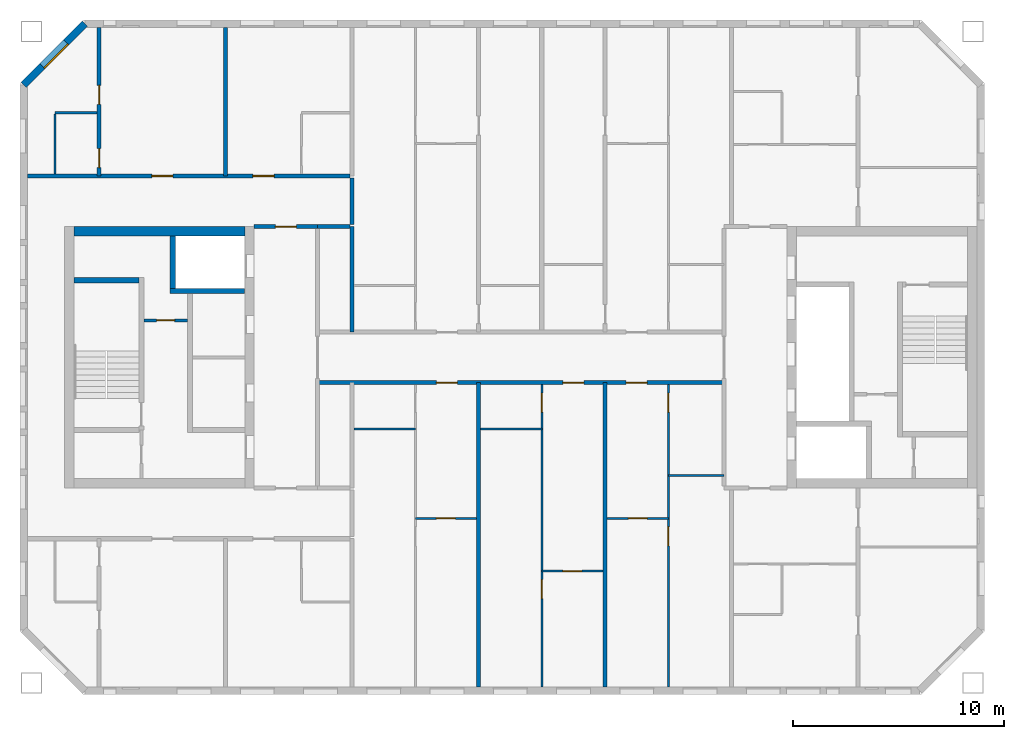
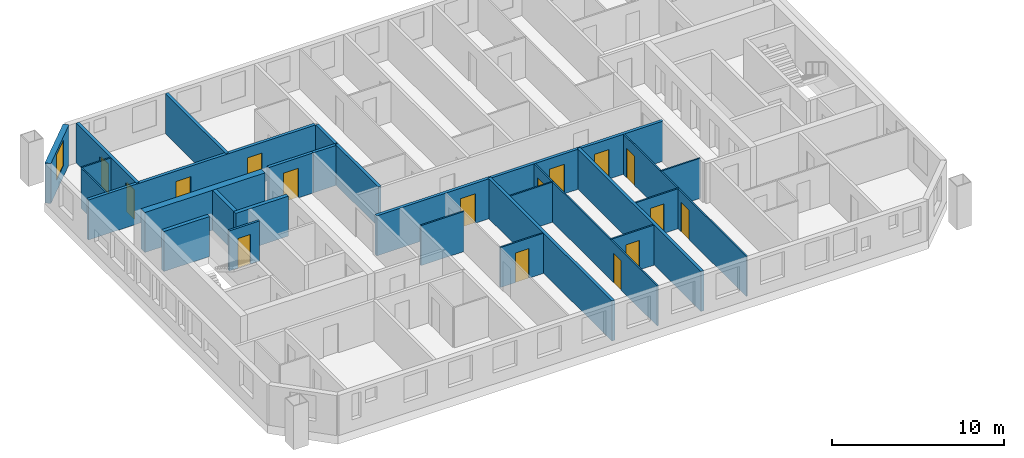
# One storey, part 4 of 16: 26 walls, 16 doors, 1 window, 17 openings.
"""IFC4 building model written with IfcOpenShell, lengths in metres."""

from ifc_helpers import new_model, si_unit, direction, frame, frame_2d, origin, place, context, subcontext, project, spatial, rectangle, extrude, material, layer, layer_set, type_object, element, fill, save


model = new_model("IFC4")

# Units and contexts
model_context = context("Model", 3, precision=1e-05, world=origin(), true_north=direction((0.0, 1.0)))
body_context = subcontext(model_context, "Body", "Model", "MODEL_VIEW")
ifc_project = project(units=[si_unit("LENGTHUNIT", "METRE"), si_unit("AREAUNIT", "SQUARE_METRE"), si_unit("VOLUMEUNIT", "CUBIC_METRE"), si_unit("PLANEANGLEUNIT", "RADIAN"), si_unit("MASSUNIT", "GRAM", prefix="KILO")], contexts=[model_context])

# Site, building, storey
site_placement = place(None, origin())
site = spatial("IfcSite", under=ifc_project, at=site_placement, CompositionType="ELEMENT")
building_placement = place(site_placement, origin())
building = spatial("IfcBuilding", under=site, at=building_placement, Name="Tuart Gate Housing", CompositionType="ELEMENT")
storey_placement = place(building_placement, frame((0.0, 0.0, 175.800048828125)))
storey = spatial("IfcBuildingStorey", under=building, at=storey_placement, Name="L49", CompositionType="ELEMENT", Elevation=175.800048828125)

# Wall, opening, window
ifc_material_1 = material(Name="Brick", Category="masonry")
ifc_layer_1 = layer(ifc_material_1, 0.360107421875)
ifc_layer_set_1 = layer_set([ifc_layer_1], Name="Brick pier and spandrel wall 360")
wall_type_1 = type_object("IfcWallType", Name="Brick pier and spandrel wall 360", PredefinedType="STANDARD", material=ifc_layer_set_1)
wall_1_placement = place(storey_placement, frame((33.32470703125, 85.820068359375, 0.0), z_axis=(0.0, 0.0, 1.0), x_axis=(-0.707106781187, -0.707106781187, 0.0)))
wall_1 = element("IfcWall", 1, at=wall_1_placement, inside=storey, type_object=wall_type_1, Name="External wall A-NW L49", PredefinedType="STANDARD", context=body_context, shape_type="SweptSolid", body=[
    extrude(rectangle(XDim=4.09375, YDim=0.360107421875, at=frame_2d((2.046875, 0.0))), origin(), (0.0, 0.0, 1.0), 2.849853515625),
])
opening_1_placement = place(wall_1_placement, frame((1.2470703125, 0.0, 0.800048828125)))
opening_1 = element("IfcOpeningElement", 2, at=opening_1_placement, cuts=wall_1, Name="Opening W1", PredefinedType="OPENING", context=body_context, shape_type="SweptSolid", body=[
    extrude(rectangle(XDim=1.60009765625, YDim=1.800048828125, at=frame_2d((0.800048828125, 0.89990234375))), frame((0.0, 0.18994140625, 0.0), z_axis=(0.0, -1.0, 0.0), x_axis=(1.0, 0.0, 0.0)), (0.0, 0.0, 1.0), 0.380126953125),
])
ifc_material_2 = material(Name="Aluminium frame with clear glass", Category="aluminium")
window_type = type_object("IfcWindowType", Name="Punched window 1600 x 1800", PartitioningType="SINGLE_PANEL", PredefinedType="WINDOW", material=ifc_material_2)
window_placement = place(opening_1_placement, origin())
window = element("IfcWindow", 3, at=window_placement, inside=storey, type_object=window_type, Name="Window W1", OverallHeight=1.800048828125, OverallWidth=1.60009765625, PartitioningType="SINGLE_PANEL", PredefinedType="WINDOW", context=body_context, shape_type="SweptSolid", body=[
    extrude(rectangle(XDim=1.60009765625, YDim=1.800048828125, at=frame_2d((0.800048828125, 0.89990234375))), frame((0.0, 0.150146484375, 0.0), z_axis=(0.0, -1.0, 0.0), x_axis=(1.0, 0.0, 0.0)), (0.0, 0.0, 1.0), 0.06005859375),
])
fill(opening_1, window)

# Wall, opening, door
ifc_material_3 = material(Name="Plasterboard partition")
ifc_layer_2 = layer(ifc_material_3, 0.14990234375)
ifc_layer_set_2 = layer_set([ifc_layer_2], Name="Core partition 150")
wall_type_2 = type_object("IfcWallType", Name="Core partition 150", PredefinedType="PARTITIONING", material=ifc_layer_set_2)
wall_2_placement = place(storey_placement, frame((38.18505859375, 71.75, 0.0), z_axis=(0.0, 0.0, 1.0), x_axis=(-1.0, 0.0, 0.0)))
wall_2 = element("IfcWall", 4, at=wall_2_placement, inside=storey, type_object=wall_type_2, Name="Core partition AK.3", PredefinedType="PARTITIONING", context=body_context, shape_type="SweptSolid", body=[
    extrude(rectangle(XDim=2.050048828125, YDim=0.14990234375, at=frame_2d((1.02490234375, 0.0))), origin(), (0.0, 0.0, 1.0), 2.849853515625),
])
opening_2_placement = place(wall_2_placement, frame((0.60009765625, 0.0, 0.0)))
opening_2 = element("IfcOpeningElement", 5, at=opening_2_placement, cuts=wall_2, Name="Opening D1755", PredefinedType="OPENING", context=body_context, shape_type="SweptSolid", body=[
    extrude(rectangle(XDim=0.85009765625, YDim=2.10009765625, at=frame_2d((0.425048828125, 1.050048828125))), frame((0.0, 0.0849609375, 0.0), z_axis=(0.0, -1.0, 0.0), x_axis=(1.0, 0.0, 0.0)), (0.0, 0.0, 1.0), 0.169921875),
])
ifc_material_4 = material(Name="Steel fire door", Category="steel")
door_type_1 = type_object("IfcDoorType", Name="Riser door 850 x 2100 RH", OperationType="SINGLE_SWING_RIGHT", PredefinedType="DOOR", material=ifc_material_4)
door_1_placement = place(opening_2_placement, frame((0.85009765625, 0.0, 0.0), z_axis=(0.0, 0.0, 1.0), x_axis=(-1.0, 0.0, 0.0)))
door_1 = element("IfcDoor", 6, at=door_1_placement, inside=storey, type_object=door_type_1, Name="Service room door AK.E1", OperationType="SINGLE_SWING_RIGHT", OverallHeight=2.10009765625, OverallWidth=0.85009765625, PredefinedType="DOOR", context=body_context, shape_type="SweptSolid", body=[
    extrude(rectangle(XDim=0.85009765625, YDim=2.10009765625, at=frame_2d((0.425048828125, 1.050048828125))), frame((0.0, 0.025146484375, 0.0), z_axis=(0.0, -1.0, 0.0), x_axis=(1.0, 0.0, 0.0)), (0.0, 0.0, 1.0), 0.050048828125),
])
fill(opening_2, door_1)

# Walls
ifc_material_5 = material(Name="Concrete C40", Category="concrete")
ifc_layer_3 = layer(ifc_material_5, 0.25)
ifc_layer_set_3 = layer_set([ifc_layer_3], Name="Core wall 250 C40")
wall_type_3 = type_object("IfcWallType", Name="Core wall 250 C40", PredefinedType="SHEAR", material=ifc_layer_set_3)
wall_3_placement = place(storey_placement, frame((35.885009765625, 73.64990234375, 0.0), z_axis=(0.0, 0.0, 1.0), x_axis=(-1.0, 0.0, 0.0)))
element("IfcWall", 7, at=wall_3_placement, inside=storey, type_object=wall_type_3, Name="Core wall AK.1", PredefinedType="SHEAR", context=body_context, shape_type="SweptSolid", body=[
    extrude(rectangle(XDim=3.074951171875, YDim=0.25, at=frame_2d((1.53759765625, 0.0))), origin(), (0.0, 0.0, 1.0), 2.849853515625),
])
wall_4_placement = place(storey_placement, frame((40.909912109375, 73.14990234375, 0.0), z_axis=(0.0, 0.0, 1.0), x_axis=(-1.0, 0.0, 0.0)))
element("IfcWall", 8, at=wall_4_placement, inside=storey, type_object=wall_type_3, Name="Core wall AK.2", PredefinedType="SHEAR", context=body_context, shape_type="SweptSolid", body=[
    extrude(rectangle(XDim=3.544921875, YDim=0.25, at=frame_2d((1.7724609375, 0.0))), origin(), (0.0, 0.0, 1.0), 2.849853515625),
])
wall_5_placement = place(storey_placement, frame((37.489990234375, 75.75, 0.0), z_axis=(0.0, 0.0, 1.0), x_axis=(0.0, -1.0, 0.0)))
element("IfcWall", 9, at=wall_5_placement, inside=storey, type_object=wall_type_3, Name="Core wall AK.8", PredefinedType="SHEAR", context=body_context, shape_type="SweptSolid", body=[
    extrude(rectangle(XDim=2.47509765625, YDim=0.25, at=frame_2d((1.237548828125, 0.0))), origin(), (0.0, 0.0, 1.0), 2.849853515625),
])
ifc_material_6 = material(Name="Concrete C40", Category="concrete")
ifc_layer_4 = layer(ifc_material_6, 0.449951171875)
ifc_layer_set_4 = layer_set([ifc_layer_4], Name="Core wall 450 C40")
wall_type_4 = type_object("IfcWallType", Name="Core wall 450 C40", PredefinedType="SHEAR", material=ifc_layer_set_4)
wall_6_placement = place(storey_placement, frame((40.909912109375, 75.97509765625, 0.0), z_axis=(0.0, 0.0, 1.0), x_axis=(-1.0, 0.0, 0.0)))
element("IfcWall", 10, at=wall_6_placement, inside=storey, type_object=wall_type_4, Name="Core wall AK south", PredefinedType="SHEAR", context=body_context, shape_type="SweptSolid", body=[
    extrude(rectangle(XDim=8.099853515625, YDim=0.449951171875, at=frame_2d((4.0498046875, 0.0))), origin(), (0.0, 0.0, 1.0), 2.849853515625),
])

# Wall, openings, doors
ifc_material_7 = material(Name="Concrete masonry 15 MPa", Category="masonry")
ifc_layer_5 = layer(ifc_material_7, 0.199951171875)
ifc_layer_set_5 = layer_set([ifc_layer_5], Name="Corridor wall masonry 200")
wall_type_5 = type_object("IfcWallType", Name="Corridor wall masonry 200", PredefinedType="PARTITIONING", material=ifc_layer_set_5)
wall_7_placement = place(storey_placement, frame((44.360107421875, 68.800048828125, 0.0), z_axis=(0.0, 0.0, 1.0), x_axis=(1.0, 0.0, 0.0)))
wall_7 = element("IfcWall", 11, at=wall_7_placement, inside=storey, type_object=wall_type_5, Name="Corridor wall masonry 200", PredefinedType="PARTITIONING", context=body_context, shape_type="SweptSolid", body=[
    extrude(rectangle(XDim=19.27978515625, YDim=0.199951171875, at=frame_2d((9.639892578125, 0.0))), origin(), (0.0, 0.0, 1.0), 2.849853515625),
])
opening_3_placement = place(wall_7_placement, frame((14.639892578125, 0.0, 0.0)))
opening_3 = element("IfcOpeningElement", 12, at=opening_3_placement, cuts=wall_7, Name="Opening D1765", PredefinedType="OPENING", context=body_context, shape_type="SweptSolid", body=[
    extrude(rectangle(XDim=1.0, YDim=2.10009765625, at=frame_2d((0.5, 1.050048828125))), frame((0.0, 0.10986328125, 0.0), z_axis=(0.0, -1.0, 0.0), x_axis=(1.0, 0.0, 0.0)), (0.0, 0.0, 1.0), 0.219970703125),
])
opening_4_placement = place(wall_7_placement, frame((11.639892578125, 0.0, 0.0)))
opening_4 = element("IfcOpeningElement", 13, at=opening_4_placement, cuts=wall_7, Name="Opening D1766", PredefinedType="OPENING", context=body_context, shape_type="SweptSolid", body=[
    extrude(rectangle(XDim=1.0, YDim=2.10009765625, at=frame_2d((0.5, 1.050048828125))), frame((0.0, 0.10986328125, 0.0), z_axis=(0.0, -1.0, 0.0), x_axis=(1.0, 0.0, 0.0)), (0.0, 0.0, 1.0), 0.219970703125),
])
opening_5_placement = place(wall_7_placement, frame((5.639892578125, 0.0, 0.0)))
opening_5 = element("IfcOpeningElement", 14, at=opening_5_placement, cuts=wall_7, Name="Opening D1767", PredefinedType="OPENING", context=body_context, shape_type="SweptSolid", body=[
    extrude(rectangle(XDim=1.0, YDim=2.10009765625, at=frame_2d((0.5, 1.050048828125))), frame((0.0, 0.10986328125, 0.0), z_axis=(0.0, -1.0, 0.0), x_axis=(1.0, 0.0, 0.0)), (0.0, 0.0, 1.0), 0.219970703125),
])
ifc_material_8 = material(Name="Timber door leaf in steel frame", Category="steel")
door_type_2 = type_object("IfcDoorType", Name="Flat entrance door 1000 RH", OperationType="SINGLE_SWING_RIGHT", PredefinedType="DOOR", material=ifc_material_8)
door_2_placement = place(opening_3_placement, frame((1.0, 0.0, 0.0), z_axis=(0.0, 0.0, 1.0), x_axis=(-1.0, 0.0, 0.0)))
door_2 = element("IfcDoor", 15, at=door_2_placement, inside=storey, type_object=door_type_2, Name="Flat entrance door", OperationType="SINGLE_SWING_RIGHT", OverallHeight=2.10009765625, OverallWidth=1.0, PredefinedType="DOOR", context=body_context, shape_type="SweptSolid", body=[
    extrude(rectangle(XDim=1.0, YDim=2.10009765625, at=frame_2d((0.5, 1.050048828125))), frame((0.0, 0.025146484375, 0.0), z_axis=(0.0, -1.0, 0.0), x_axis=(1.0, 0.0, 0.0)), (0.0, 0.0, 1.0), 0.050048828125),
])
fill(opening_3, door_2)
door_3_placement = place(opening_4_placement, frame((1.0, 0.0, 0.0), z_axis=(0.0, 0.0, 1.0), x_axis=(-1.0, 0.0, 0.0)))
door_3 = element("IfcDoor", 16, at=door_3_placement, inside=storey, type_object=door_type_2, Name="Flat entrance door", OperationType="SINGLE_SWING_RIGHT", OverallHeight=2.10009765625, OverallWidth=1.0, PredefinedType="DOOR", context=body_context, shape_type="SweptSolid", body=[
    extrude(rectangle(XDim=1.0, YDim=2.10009765625, at=frame_2d((0.5, 1.050048828125))), frame((0.0, 0.025146484375, 0.0), z_axis=(0.0, -1.0, 0.0), x_axis=(1.0, 0.0, 0.0)), (0.0, 0.0, 1.0), 0.050048828125),
])
fill(opening_4, door_3)
door_4_placement = place(opening_5_placement, frame((1.0, 0.0, 0.0), z_axis=(0.0, 0.0, 1.0), x_axis=(-1.0, 0.0, 0.0)))
door_4 = element("IfcDoor", 17, at=door_4_placement, inside=storey, type_object=door_type_2, Name="Flat entrance door", OperationType="SINGLE_SWING_RIGHT", OverallHeight=2.10009765625, OverallWidth=1.0, PredefinedType="DOOR", context=body_context, shape_type="SweptSolid", body=[
    extrude(rectangle(XDim=1.0, YDim=2.10009765625, at=frame_2d((0.5, 1.050048828125))), frame((0.0, 0.025146484375, 0.0), z_axis=(0.0, -1.0, 0.0), x_axis=(1.0, 0.0, 0.0)), (0.0, 0.0, 1.0), 0.050048828125),
])
fill(opening_5, door_4)

# Wall
wall_8_placement = place(storey_placement, frame((44.360107421875, 76.199951171875, 0.0), z_axis=(0.0, 0.0, 1.0), x_axis=(1.0, 0.0, 0.0)))
element("IfcWall", 18, at=wall_8_placement, inside=storey, type_object=wall_type_5, Name="Corridor wall masonry 200", PredefinedType="PARTITIONING", context=body_context, shape_type="SweptSolid", body=[
    extrude(rectangle(XDim=1.539794921875, YDim=0.199951171875, at=frame_2d((0.77001953125, 0.0))), origin(), (0.0, 0.0, 1.0), 2.849853515625),
])

# Wall, openings, doors
wall_9_placement = place(storey_placement, frame((30.610107421875, 78.60009765625, 0.0), z_axis=(0.0, 0.0, 1.0), x_axis=(1.0, 0.0, 0.0)))
wall_9 = element("IfcWall", 19, at=wall_9_placement, inside=storey, type_object=wall_type_5, Name="Corridor wall masonry 200", PredefinedType="PARTITIONING", context=body_context, shape_type="SweptSolid", body=[
    extrude(rectangle(XDim=15.289794921875, YDim=0.199951171875, at=frame_2d((7.64501953125, 0.0))), origin(), (0.0, 0.0, 1.0), 2.849853515625),
])
opening_6_placement = place(wall_9_placement, frame((10.68994140625, 0.0, 0.0)))
opening_6 = element("IfcOpeningElement", 20, at=opening_6_placement, cuts=wall_9, Name="Opening D1742", PredefinedType="OPENING", context=body_context, shape_type="SweptSolid", body=[
    extrude(rectangle(XDim=1.0, YDim=2.10009765625, at=frame_2d((0.5, 1.050048828125))), frame((0.0, 0.10986328125, 0.0), z_axis=(0.0, -1.0, 0.0), x_axis=(1.0, 0.0, 0.0)), (0.0, 0.0, 1.0), 0.219970703125),
])
opening_7_placement = place(wall_9_placement, frame((5.889892578125, 0.0, 0.0)))
opening_7 = element("IfcOpeningElement", 21, at=opening_7_placement, cuts=wall_9, Name="Opening D1743", PredefinedType="OPENING", context=body_context, shape_type="SweptSolid", body=[
    extrude(rectangle(XDim=1.0, YDim=2.10009765625, at=frame_2d((0.5, 1.050048828125))), frame((0.0, 0.10986328125, 0.0), z_axis=(0.0, -1.0, 0.0), x_axis=(1.0, 0.0, 0.0)), (0.0, 0.0, 1.0), 0.219970703125),
])
ifc_material_9 = material(Name="Timber door leaf in steel frame", Category="steel")
door_type_3 = type_object("IfcDoorType", Name="Flat entrance door 1000", OperationType="SINGLE_SWING_LEFT", PredefinedType="DOOR", material=ifc_material_9)
door_5_placement = place(opening_6_placement, origin())
door_5 = element("IfcDoor", 22, at=door_5_placement, inside=storey, type_object=door_type_3, Name="Flat entrance door", OperationType="SINGLE_SWING_LEFT", OverallHeight=2.10009765625, OverallWidth=1.0, PredefinedType="DOOR", context=body_context, shape_type="SweptSolid", body=[
    extrude(rectangle(XDim=1.0, YDim=2.10009765625, at=frame_2d((0.5, 1.050048828125))), frame((0.0, 0.02490234375, 0.0), z_axis=(0.0, -1.0, 0.0), x_axis=(1.0, 0.0, 0.0)), (0.0, 0.0, 1.0), 0.050048828125),
])
fill(opening_6, door_5)
door_6_placement = place(opening_7_placement, origin())
door_6 = element("IfcDoor", 23, at=door_6_placement, inside=storey, type_object=door_type_3, Name="Flat entrance door", OperationType="SINGLE_SWING_LEFT", OverallHeight=2.10009765625, OverallWidth=1.0, PredefinedType="DOOR", context=body_context, shape_type="SweptSolid", body=[
    extrude(rectangle(XDim=1.0, YDim=2.10009765625, at=frame_2d((0.5, 1.050048828125))), frame((0.0, 0.02490234375, 0.0), z_axis=(0.0, -1.0, 0.0), x_axis=(1.0, 0.0, 0.0)), (0.0, 0.0, 1.0), 0.050048828125),
])
fill(opening_7, door_6)

# Wall
wall_10_placement = place(storey_placement, frame((46.0, 76.300048828125, 0.0), z_axis=(0.0, 0.0, 1.0), x_axis=(0.0, 1.0, 0.0)))
element("IfcWall", 24, at=wall_10_placement, inside=storey, type_object=wall_type_5, Name="Corridor wall masonry 200", PredefinedType="PARTITIONING", context=body_context, shape_type="SweptSolid", body=[
    extrude(rectangle(XDim=2.199951171875, YDim=0.199951171875, at=frame_2d((1.10009765625, 0.0))), origin(), (0.0, 0.0, 1.0), 2.849853515625),
])

# Wall, opening, door
ifc_material_10 = material(Name="Concrete masonry 15 MPa", Category="masonry")
ifc_layer_6 = layer(ifc_material_10, 0.199951171875)
ifc_layer_set_6 = layer_set([ifc_layer_6], Name="Enclosure wall masonry 200")
wall_type_6 = type_object("IfcWallType", Name="Enclosure wall masonry 200", PredefinedType="PARTITIONING", material=ifc_layer_set_6)
wall_11_placement = place(storey_placement, frame((41.360107421875, 76.199951171875, 0.0), z_axis=(0.0, 0.0, 1.0), x_axis=(1.0, 0.0, 0.0)))
wall_11 = element("IfcWall", 25, at=wall_11_placement, inside=storey, type_object=wall_type_6, Name="Enclosure wall masonry 200", PredefinedType="PARTITIONING", context=body_context, shape_type="SweptSolid", body=[
    extrude(rectangle(XDim=3.0, YDim=0.199951171875, at=frame_2d((1.5, 0.0))), origin(), (0.0, 0.0, 1.0), 2.849853515625),
])
opening_8_placement = place(wall_11_placement, frame((1.0, 0.0, 0.0)))
opening_8 = element("IfcOpeningElement", 26, at=opening_8_placement, cuts=wall_11, Name="Opening D1752", PredefinedType="OPENING", context=body_context, shape_type="SweptSolid", body=[
    extrude(rectangle(XDim=1.0, YDim=2.10009765625, at=frame_2d((0.5, 1.050048828125))), frame((0.0, 0.10986328125, 0.0), z_axis=(0.0, -1.0, 0.0), x_axis=(1.0, 0.0, 0.0)), (0.0, 0.0, 1.0), 0.219970703125),
])
ifc_material_11 = material(Name="Timber door leaf in steel frame", Category="steel")
door_type_4 = type_object("IfcDoorType", Name="Fire door 1000 RH", OperationType="SINGLE_SWING_RIGHT", PredefinedType="DOOR", material=ifc_material_11)
door_7_placement = place(opening_8_placement, origin())
door_7 = element("IfcDoor", 27, at=door_7_placement, inside=storey, type_object=door_type_4, Name="Fire door", OperationType="SINGLE_SWING_RIGHT", OverallHeight=2.10009765625, OverallWidth=1.0, PredefinedType="DOOR", context=body_context, shape_type="SweptSolid", body=[
    extrude(rectangle(XDim=1.0, YDim=2.10009765625, at=frame_2d((0.5, 1.050048828125))), frame((0.0, 0.02490234375, 0.0), z_axis=(0.0, -1.0, 0.0), x_axis=(1.0, 0.0, 0.0)), (0.0, 0.0, 1.0), 0.050048828125),
])
fill(opening_8, door_7)

ifc_material_12 = material(Name="Gypsum board on steel studs", Category="steel")
ifc_layer_7 = layer(ifc_material_12, 0.10009765625)
ifc_layer_set_7 = layer_set([ifc_layer_7], Name="Partition 100")
wall_type_7 = type_object("IfcWallType", Name="Partition 100", PredefinedType="PARTITIONING", material=ifc_layer_set_7)
wall_12_placement = place(storey_placement, frame((55.0, 59.860107421875, 0.0), z_axis=(0.0, 0.0, 1.0), x_axis=(1.0, 0.0, 0.0)))
wall_12 = element("IfcWall", 28, at=wall_12_placement, inside=storey, type_object=wall_type_7, Name="Partition 100", PredefinedType="PARTITIONING", context=body_context, shape_type="SweptSolid", body=[
    extrude(rectangle(XDim=2.89990234375, YDim=0.10009765625, at=frame_2d((1.449951171875, 0.0))), origin(), (0.0, 0.0, 1.0), 2.849853515625),
])
opening_9_placement = place(wall_12_placement, frame((1.0, 0.0, 0.0)))
opening_9 = element("IfcOpeningElement", 29, at=opening_9_placement, cuts=wall_12, Name="Opening D1786", PredefinedType="OPENING", context=body_context, shape_type="SweptSolid", body=[
    extrude(rectangle(XDim=0.89990234375, YDim=2.10009765625, at=frame_2d((0.449951171875, 1.050048828125))), frame((0.0, 0.06005859375, 0.0), z_axis=(0.0, -1.0, 0.0), x_axis=(1.0, 0.0, 0.0)), (0.0, 0.0, 1.0), 0.1201171875),
])
ifc_material_13 = material(Name="Timber door leaf in steel frame", Category="steel")
door_type_5 = type_object("IfcDoorType", Name="Internal door 900", OperationType="SINGLE_SWING_LEFT", PredefinedType="DOOR", material=ifc_material_13)
door_8_placement = place(opening_9_placement, origin())
door_8 = element("IfcDoor", 30, at=door_8_placement, inside=storey, type_object=door_type_5, Name="Internal door", OperationType="SINGLE_SWING_LEFT", OverallHeight=2.10009765625, OverallWidth=0.89990234375, PredefinedType="DOOR", context=body_context, shape_type="SweptSolid", body=[
    extrude(rectangle(XDim=0.89990234375, YDim=2.10009765625, at=frame_2d((0.449951171875, 1.050048828125))), frame((0.0, 0.02490234375, 0.0), z_axis=(0.0, -1.0, 0.0), x_axis=(1.0, 0.0, 0.0)), (0.0, 0.0, 1.0), 0.050048828125),
])
fill(opening_9, door_8)

wall_13_placement = place(storey_placement, frame((49.0, 62.360107421875, 0.0), z_axis=(0.0, 0.0, 1.0), x_axis=(1.0, 0.0, 0.0)))
wall_13 = element("IfcWall", 31, at=wall_13_placement, inside=storey, type_object=wall_type_7, Name="Partition 100", PredefinedType="PARTITIONING", context=body_context, shape_type="SweptSolid", body=[
    extrude(rectangle(XDim=2.89990234375, YDim=0.10009765625, at=frame_2d((1.449951171875, 0.0))), origin(), (0.0, 0.0, 1.0), 2.849853515625),
])
opening_10_placement = place(wall_13_placement, frame((1.0, 0.0, 0.0)))
opening_10 = element("IfcOpeningElement", 32, at=opening_10_placement, cuts=wall_13, Name="Opening D1773", PredefinedType="OPENING", context=body_context, shape_type="SweptSolid", body=[
    extrude(rectangle(XDim=0.89990234375, YDim=2.10009765625, at=frame_2d((0.449951171875, 1.050048828125))), frame((0.0, 0.06005859375, 0.0), z_axis=(0.0, -1.0, 0.0), x_axis=(1.0, 0.0, 0.0)), (0.0, 0.0, 1.0), 0.1201171875),
])
door_9_placement = place(opening_10_placement, origin())
door_9 = element("IfcDoor", 33, at=door_9_placement, inside=storey, type_object=door_type_5, Name="Internal door", OperationType="SINGLE_SWING_LEFT", OverallHeight=2.10009765625, OverallWidth=0.89990234375, PredefinedType="DOOR", context=body_context, shape_type="SweptSolid", body=[
    extrude(rectangle(XDim=0.89990234375, YDim=2.10009765625, at=frame_2d((0.449951171875, 1.050048828125))), frame((0.0, 0.02490234375, 0.0), z_axis=(0.0, -1.0, 0.0), x_axis=(1.0, 0.0, 0.0)), (0.0, 0.0, 1.0), 0.050048828125),
])
fill(opening_10, door_9)

wall_14_placement = place(storey_placement, frame((58.10009765625, 62.360107421875, 0.0), z_axis=(0.0, 0.0, 1.0), x_axis=(1.0, 0.0, 0.0)))
wall_14 = element("IfcWall", 34, at=wall_14_placement, inside=storey, type_object=wall_type_7, Name="Partition 100", PredefinedType="PARTITIONING", context=body_context, shape_type="SweptSolid", body=[
    extrude(rectangle(XDim=2.89990234375, YDim=0.10009765625, at=frame_2d((1.449951171875, 0.0))), origin(), (0.0, 0.0, 1.0), 2.849853515625),
])
opening_11_placement = place(wall_14_placement, frame((1.0, 0.0, 0.0)))
opening_11 = element("IfcOpeningElement", 35, at=opening_11_placement, cuts=wall_14, Name="Opening D1774", PredefinedType="OPENING", context=body_context, shape_type="SweptSolid", body=[
    extrude(rectangle(XDim=0.89990234375, YDim=2.10009765625, at=frame_2d((0.449951171875, 1.050048828125))), frame((0.0, 0.06005859375, 0.0), z_axis=(0.0, -1.0, 0.0), x_axis=(1.0, 0.0, 0.0)), (0.0, 0.0, 1.0), 0.1201171875),
])
ifc_material_14 = material(Name="Timber door leaf in steel frame", Category="steel")
door_type_6 = type_object("IfcDoorType", Name="Internal door 900 RH", OperationType="SINGLE_SWING_RIGHT", PredefinedType="DOOR", material=ifc_material_14)
door_10_placement = place(opening_11_placement, origin())
door_10 = element("IfcDoor", 36, at=door_10_placement, inside=storey, type_object=door_type_6, Name="Internal door", OperationType="SINGLE_SWING_RIGHT", OverallHeight=2.10009765625, OverallWidth=0.89990234375, PredefinedType="DOOR", context=body_context, shape_type="SweptSolid", body=[
    extrude(rectangle(XDim=0.89990234375, YDim=2.10009765625, at=frame_2d((0.449951171875, 1.050048828125))), frame((0.0, 0.02490234375, 0.0), z_axis=(0.0, -1.0, 0.0), x_axis=(1.0, 0.0, 0.0)), (0.0, 0.0, 1.0), 0.050048828125),
])
fill(opening_11, door_10)

# Walls
wall_15_placement = place(storey_placement, frame((61.0, 64.39990234375, 0.0), z_axis=(0.0, 0.0, 1.0), x_axis=(1.0, 0.0, 0.0)))
element("IfcWall", 37, at=wall_15_placement, inside=storey, type_object=wall_type_7, Name="Partition 100", PredefinedType="PARTITIONING", context=body_context, shape_type="SweptSolid", body=[
    extrude(rectangle(XDim=2.639892578125, YDim=0.10009765625, at=frame_2d((1.31982421875, 0.0))), origin(), (0.0, 0.0, 1.0), 2.849853515625),
])
for number, where, z_axis, x_axis, name in (
    (38, (46.10009765625, 66.60009765625, 0.0), (0.0, 0.0, 1.0), (1.0, 0.0, 0.0), "Partition 100"),
    (39, (52.10009765625, 66.60009765625, 0.0), (0.0, 0.0, 1.0), (1.0, 0.0, 0.0), "Partition 100"),
):
    element("IfcWall", number, at=place(storey_placement, frame(where, z_axis=z_axis, x_axis=x_axis)), inside=storey, type_object=wall_type_7, Name=name, PredefinedType="PARTITIONING", context=body_context, shape_type="SweptSolid", body=[
        extrude(rectangle(XDim=2.89990234375, YDim=0.10009765625, at=frame_2d((1.449951171875, 0.0))), origin(), (0.0, 0.0, 1.0), 2.849853515625),
    ])
wall_16_placement = place(storey_placement, frame((31.909912109375, 81.60009765625, 0.0), z_axis=(0.0, 0.0, 1.0), x_axis=(1.0, 0.0, 0.0)))
element("IfcWall", 40, at=wall_16_placement, inside=storey, type_object=wall_type_7, Name="Partition 100", PredefinedType="PARTITIONING", context=body_context, shape_type="SweptSolid", body=[
    extrude(rectangle(XDim=1.989990234375, YDim=0.10009765625, at=frame_2d((0.9951171875, 0.0))), origin(), (0.0, 0.0, 1.0), 2.849853515625),
])
wall_17_placement = place(storey_placement, frame((31.909912109375, 78.699951171875, 0.0), z_axis=(0.0, 0.0, 1.0), x_axis=(0.0, 1.0, 0.0)))
element("IfcWall", 41, at=wall_17_placement, inside=storey, type_object=wall_type_7, Name="Partition 100", PredefinedType="PARTITIONING", context=body_context, shape_type="SweptSolid", body=[
    extrude(rectangle(XDim=2.85009765625, YDim=0.10009765625, at=frame_2d((1.425048828125, 0.0))), origin(), (0.0, 0.0, 1.0), 2.849853515625),
])

# Wall, openings, doors
wall_18_placement = place(storey_placement, frame((55.0, 54.360107421875, 0.0), z_axis=(0.0, 0.0, 1.0), x_axis=(0.0, 1.0, 0.0)))
wall_18 = element("IfcWall", 42, at=wall_18_placement, inside=storey, type_object=wall_type_7, Name="Partition 100", PredefinedType="PARTITIONING", context=body_context, shape_type="SweptSolid", body=[
    extrude(rectangle(XDim=14.33984375, YDim=0.10009765625, at=frame_2d((7.169921875, 0.0))), origin(), (0.0, 0.0, 1.0), 2.849853515625),
])
opening_12_placement = place(wall_18_placement, frame((4.199951171875, 0.0, 0.0)))
opening_12 = element("IfcOpeningElement", 43, at=opening_12_placement, cuts=wall_18, Name="Opening D1778", PredefinedType="OPENING", context=body_context, shape_type="SweptSolid", body=[
    extrude(rectangle(XDim=0.89990234375, YDim=2.10009765625, at=frame_2d((0.449951171875, 1.050048828125))), frame((0.0, 0.06005859375, 0.0), z_axis=(0.0, -1.0, 0.0), x_axis=(1.0, 0.0, 0.0)), (0.0, 0.0, 1.0), 0.1201171875),
])
opening_13_placement = place(wall_18_placement, frame((13.0400390625, 0.0, 0.0)))
opening_13 = element("IfcOpeningElement", 44, at=opening_13_placement, cuts=wall_18, Name="Opening D1777", PredefinedType="OPENING", context=body_context, shape_type="SweptSolid", body=[
    extrude(rectangle(XDim=0.89990234375, YDim=2.10009765625, at=frame_2d((0.449951171875, 1.050048828125))), frame((0.0, 0.06005859375, 0.0), z_axis=(0.0, -1.0, 0.0), x_axis=(1.0, 0.0, 0.0)), (0.0, 0.0, 1.0), 0.1201171875),
])
ifc_material_15 = material(Name="Timber door leaf in steel frame", Category="steel")
door_type_7 = type_object("IfcDoorType", Name="Bathroom door 900 RH", OperationType="SINGLE_SWING_RIGHT", PredefinedType="DOOR", material=ifc_material_15)
door_11_placement = place(opening_13_placement, origin())
door_11 = element("IfcDoor", 45, at=door_11_placement, inside=storey, type_object=door_type_7, Name="Bathroom door", OperationType="SINGLE_SWING_RIGHT", OverallHeight=2.10009765625, OverallWidth=0.89990234375, PredefinedType="DOOR", context=body_context, shape_type="SweptSolid", body=[
    extrude(rectangle(XDim=0.89990234375, YDim=2.10009765625, at=frame_2d((0.449951171875, 1.050048828125))), frame((0.0, 0.02490234375, 0.0), z_axis=(0.0, -1.0, 0.0), x_axis=(1.0, 0.0, 0.0)), (0.0, 0.0, 1.0), 0.050048828125),
])
fill(opening_13, door_11)
door_12_placement = place(opening_12_placement, origin())
door_12 = element("IfcDoor", 46, at=door_12_placement, inside=storey, type_object=door_type_5, Name="Internal door", OperationType="SINGLE_SWING_LEFT", OverallHeight=2.10009765625, OverallWidth=0.89990234375, PredefinedType="DOOR", context=body_context, shape_type="SweptSolid", body=[
    extrude(rectangle(XDim=0.89990234375, YDim=2.10009765625, at=frame_2d((0.449951171875, 1.050048828125))), frame((0.0, 0.02490234375, 0.0), z_axis=(0.0, -1.0, 0.0), x_axis=(1.0, 0.0, 0.0)), (0.0, 0.0, 1.0), 0.050048828125),
])
fill(opening_12, door_12)

wall_19_placement = place(storey_placement, frame((61.0, 54.360107421875, 0.0), z_axis=(0.0, 0.0, 1.0), x_axis=(0.0, 1.0, 0.0)))
wall_19 = element("IfcWall", 47, at=wall_19_placement, inside=storey, type_object=wall_type_7, Name="Partition 100", PredefinedType="PARTITIONING", context=body_context, shape_type="SweptSolid", body=[
    extrude(rectangle(XDim=14.33984375, YDim=0.10009765625, at=frame_2d((7.169921875, 0.0))), origin(), (0.0, 0.0, 1.0), 2.849853515625),
])
opening_14_placement = place(wall_19_placement, frame((6.699951171875, 0.0, 0.0)))
opening_14 = element("IfcOpeningElement", 48, at=opening_14_placement, cuts=wall_19, Name="Opening D1780", PredefinedType="OPENING", context=body_context, shape_type="SweptSolid", body=[
    extrude(rectangle(XDim=0.89990234375, YDim=2.10009765625, at=frame_2d((0.449951171875, 1.050048828125))), frame((0.0, 0.06005859375, 0.0), z_axis=(0.0, -1.0, 0.0), x_axis=(1.0, 0.0, 0.0)), (0.0, 0.0, 1.0), 0.1201171875),
])
opening_15_placement = place(wall_19_placement, frame((13.0400390625, 0.0, 0.0)))
opening_15 = element("IfcOpeningElement", 49, at=opening_15_placement, cuts=wall_19, Name="Opening D1779", PredefinedType="OPENING", context=body_context, shape_type="SweptSolid", body=[
    extrude(rectangle(XDim=0.89990234375, YDim=2.10009765625, at=frame_2d((0.449951171875, 1.050048828125))), frame((0.0, 0.06005859375, 0.0), z_axis=(0.0, -1.0, 0.0), x_axis=(1.0, 0.0, 0.0)), (0.0, 0.0, 1.0), 0.1201171875),
])
ifc_material_16 = material(Name="Timber door leaf in steel frame", Category="steel")
door_type_8 = type_object("IfcDoorType", Name="Bathroom door 900", OperationType="SINGLE_SWING_LEFT", PredefinedType="DOOR", material=ifc_material_16)
door_13_placement = place(opening_15_placement, frame((0.89990234375, 0.0, 0.0), z_axis=(0.0, 0.0, 1.0), x_axis=(-1.0, 0.0, 0.0)))
door_13 = element("IfcDoor", 50, at=door_13_placement, inside=storey, type_object=door_type_8, Name="Bathroom door", OperationType="SINGLE_SWING_LEFT", OverallHeight=2.10009765625, OverallWidth=0.89990234375, PredefinedType="DOOR", context=body_context, shape_type="SweptSolid", body=[
    extrude(rectangle(XDim=0.89990234375, YDim=2.10009765625, at=frame_2d((0.449951171875, 1.050048828125))), frame((0.0, 0.025146484375, 0.0), z_axis=(0.0, -1.0, 0.0), x_axis=(1.0, 0.0, 0.0)), (0.0, 0.0, 1.0), 0.050048828125),
])
fill(opening_15, door_13)
door_14_placement = place(opening_14_placement, frame((0.89990234375, 0.0, 0.0), z_axis=(0.0, 0.0, 1.0), x_axis=(-1.0, 0.0, 0.0)))
door_14 = element("IfcDoor", 51, at=door_14_placement, inside=storey, type_object=door_type_5, Name="Internal door", OperationType="SINGLE_SWING_LEFT", OverallHeight=2.10009765625, OverallWidth=0.89990234375, PredefinedType="DOOR", context=body_context, shape_type="SweptSolid", body=[
    extrude(rectangle(XDim=0.89990234375, YDim=2.10009765625, at=frame_2d((0.449951171875, 1.050048828125))), frame((0.0, 0.025146484375, 0.0), z_axis=(0.0, -1.0, 0.0), x_axis=(1.0, 0.0, 0.0)), (0.0, 0.0, 1.0), 0.050048828125),
])
fill(opening_14, door_14)

ifc_material_17 = material(Name="Concrete C40", Category="concrete")
ifc_layer_8 = layer(ifc_material_17, 0.199951171875)
ifc_layer_set_8 = layer_set([ifc_layer_8], Name="Party wall concrete C40 200")
wall_type_8 = type_object("IfcWallType", Name="Party wall concrete C40 200", PredefinedType="SOLIDWALL", material=ifc_layer_set_8)
wall_20_placement = place(storey_placement, frame((34.0, 78.60009765625, 0.0), z_axis=(0.0, 0.0, 1.0), x_axis=(0.0, 1.0, 0.0)))
wall_20 = element("IfcWall", 52, at=wall_20_placement, inside=storey, type_object=wall_type_8, Name="Party wall concrete C40 200", PredefinedType="SOLIDWALL", context=body_context, shape_type="SweptSolid", body=[
    extrude(rectangle(XDim=7.039794921875, YDim=0.199951171875, at=frame_2d((3.52001953125, 0.0))), origin(), (0.0, 0.0, 1.0), 2.849853515625),
])
opening_16_placement = place(wall_20_placement, frame((3.39990234375, 0.0, 0.0)))
opening_16 = element("IfcOpeningElement", 53, at=opening_16_placement, cuts=wall_20, Name="Opening D1734", PredefinedType="OPENING", context=body_context, shape_type="SweptSolid", body=[
    extrude(rectangle(XDim=0.89990234375, YDim=2.10009765625, at=frame_2d((0.449951171875, 1.050048828125))), frame((0.0, 0.10986328125, 0.0), z_axis=(0.0, -1.0, 0.0), x_axis=(1.0, 0.0, 0.0)), (0.0, 0.0, 1.0), 0.219970703125),
])
opening_17_placement = place(wall_20_placement, frame((0.39990234375, 0.0, 0.0)))
opening_17 = element("IfcOpeningElement", 54, at=opening_17_placement, cuts=wall_20, Name="Opening D1733", PredefinedType="OPENING", context=body_context, shape_type="SweptSolid", body=[
    extrude(rectangle(XDim=0.89990234375, YDim=2.10009765625, at=frame_2d((0.449951171875, 1.050048828125))), frame((0.0, 0.10986328125, 0.0), z_axis=(0.0, -1.0, 0.0), x_axis=(1.0, 0.0, 0.0)), (0.0, 0.0, 1.0), 0.219970703125),
])
door_15_placement = place(opening_17_placement, origin())
door_15 = element("IfcDoor", 55, at=door_15_placement, inside=storey, type_object=door_type_8, Name="Bathroom door", OperationType="SINGLE_SWING_LEFT", OverallHeight=2.10009765625, OverallWidth=0.89990234375, PredefinedType="DOOR", context=body_context, shape_type="SweptSolid", body=[
    extrude(rectangle(XDim=0.89990234375, YDim=2.10009765625, at=frame_2d((0.449951171875, 1.050048828125))), frame((0.0, 0.02490234375, 0.0), z_axis=(0.0, -1.0, 0.0), x_axis=(1.0, 0.0, 0.0)), (0.0, 0.0, 1.0), 0.050048828125),
])
fill(opening_17, door_15)
door_16_placement = place(opening_16_placement, origin())
door_16 = element("IfcDoor", 56, at=door_16_placement, inside=storey, type_object=door_type_5, Name="Internal door", OperationType="SINGLE_SWING_LEFT", OverallHeight=2.10009765625, OverallWidth=0.89990234375, PredefinedType="DOOR", context=body_context, shape_type="SweptSolid", body=[
    extrude(rectangle(XDim=0.89990234375, YDim=2.10009765625, at=frame_2d((0.449951171875, 1.050048828125))), frame((0.0, 0.02490234375, 0.0), z_axis=(0.0, -1.0, 0.0), x_axis=(1.0, 0.0, 0.0)), (0.0, 0.0, 1.0), 0.050048828125),
])
fill(opening_16, door_16)

# Walls
wall_21_placement = place(storey_placement, frame((40.0, 78.60009765625, 0.0), z_axis=(0.0, 0.0, 1.0), x_axis=(0.0, 1.0, 0.0)))
element("IfcWall", 57, at=wall_21_placement, inside=storey, type_object=wall_type_8, Name="Party wall concrete C40 200", PredefinedType="SOLIDWALL", context=body_context, shape_type="SweptSolid", body=[
    extrude(rectangle(XDim=7.039794921875, YDim=0.199951171875, at=frame_2d((3.52001953125, 0.0))), origin(), (0.0, 0.0, 1.0), 2.849853515625),
])
wall_22_placement = place(storey_placement, frame((46.0, 71.199951171875, 0.0), z_axis=(0.0, 0.0, 1.0), x_axis=(0.0, 1.0, 0.0)))
element("IfcWall", 58, at=wall_22_placement, inside=storey, type_object=wall_type_8, Name="Party wall concrete C40 200", PredefinedType="SOLIDWALL", context=body_context, shape_type="SweptSolid", body=[
    extrude(rectangle(XDim=5.0, YDim=0.199951171875, at=frame_2d((2.5, 0.0))), origin(), (0.0, 0.0, 1.0), 2.849853515625),
])
for number, where, z_axis, x_axis, name in (
    (59, (52.0, 54.360107421875, 0.0), (0.0, 0.0, 1.0), (0.0, 1.0, 0.0), "Party wall concrete C40 200"),
    (60, (58.0, 54.360107421875, 0.0), (0.0, 0.0, 1.0), (0.0, 1.0, 0.0), "Party wall concrete C40 200"),
):
    element("IfcWall", number, at=place(storey_placement, frame(where, z_axis=z_axis, x_axis=x_axis)), inside=storey, type_object=wall_type_8, Name=name, PredefinedType="SOLIDWALL", context=body_context, shape_type="SweptSolid", body=[
        extrude(rectangle(XDim=14.43994140625, YDim=0.199951171875, at=frame_2d((7.219970703125, 0.0))), origin(), (0.0, 0.0, 1.0), 2.849853515625),
    ])

save(model, "model.ifc")
